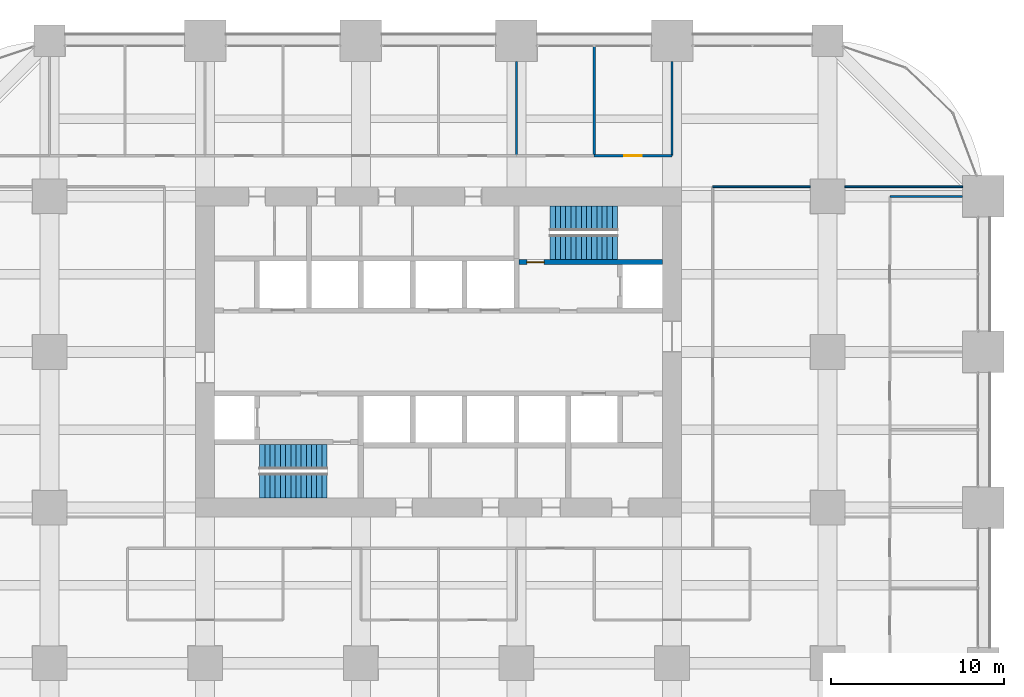
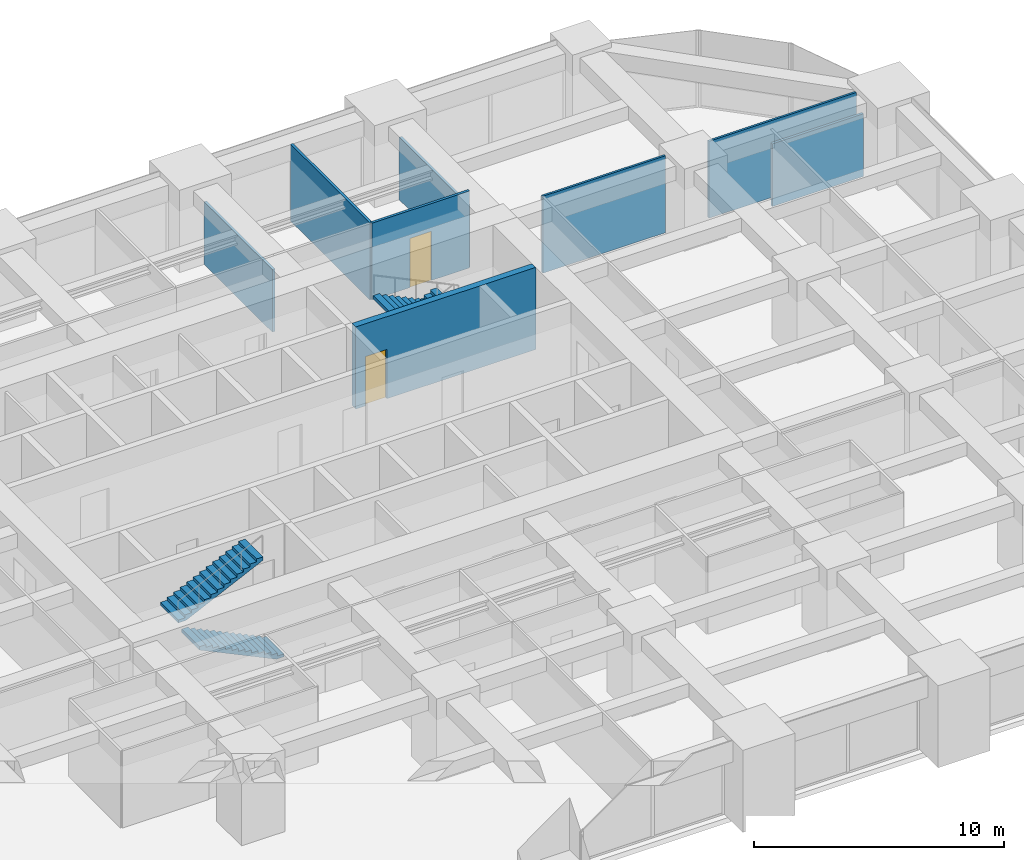
# One storey, part 39 of 41: 8 walls, 4 stair flights, 2 doors, 2 openings, 2 elements without a shape of their own.
"""IFC4 building model written with IfcOpenShell, lengths in metres."""

from ifc_helpers import new_model, si_unit, direction, frame, frame_2d, origin, place, context, subcontext, project, spatial, polyline, rectangle, outline, extrude, material, layer, layer_set, type_object, element, fill, aggregate, save


model = new_model("IFC4")

# Units and contexts
model_context = context("Model", 3, precision=1e-05, world=origin(), true_north=direction((0.0, 1.0)))
body_context = subcontext(model_context, "Body", "Model", "MODEL_VIEW")
ifc_project = project(units=[si_unit("LENGTHUNIT", "METRE"), si_unit("AREAUNIT", "SQUARE_METRE"), si_unit("VOLUMEUNIT", "CUBIC_METRE"), si_unit("PLANEANGLEUNIT", "RADIAN"), si_unit("MASSUNIT", "GRAM", prefix="KILO")], contexts=[model_context])

# Site, building, storey
site_placement = place(None, origin())
site = spatial("IfcSite", under=ifc_project, at=site_placement, CompositionType="ELEMENT")
building_placement = place(site_placement, origin())
building = spatial("IfcBuilding", under=site, at=building_placement, Name="Zorevar Civic Tower", CompositionType="ELEMENT")
storey_placement = place(building_placement, frame((0.0, 0.0, 113.0)))
storey = spatial("IfcBuildingStorey", under=building, at=storey_placement, Name="L27", CompositionType="ELEMENT", Elevation=113.0)

# Walls
ifc_material_1 = material(Name="Laminated glass in black aluminium frame", Category="aluminium")
ifc_layer_1 = layer(ifc_material_1, 0.10009765625)
ifc_layer_set_1 = layer_set([ifc_layer_1], Name="Glazed partition 100")
wall_type_1 = type_object("IfcWallType", Name="Glazed partition 100", PredefinedType="PARTITIONING", material=ifc_layer_set_1)
wall_1_placement = place(storey_placement, frame((47.35009765625, 36.550048828125, 0.0), z_axis=(0.0, 0.0, 1.0), x_axis=(1.0, 0.0, 0.0)))
element("IfcWall", 1, at=wall_1_placement, inside=storey, type_object=wall_type_1, Name="Glazed partition 100 L27", PredefinedType="PARTITIONING", context=body_context, shape_type="SweptSolid", body=[
    extrude(rectangle(XDim=5.64990234375, YDim=0.10009765625, at=frame_2d((2.824951171875, 0.0))), origin(), (0.0, 0.0, 1.0), 3.75),
])
wall_2_placement = place(storey_placement, frame((55.0, 36.550048828125, 0.0), z_axis=(0.0, 0.0, 1.0), x_axis=(1.0, 0.0, 0.0)))
element("IfcWall", 2, at=wall_2_placement, inside=storey, type_object=wall_type_1, Name="Glazed partition 100 L27", PredefinedType="PARTITIONING", context=body_context, shape_type="SweptSolid", body=[
    extrude(rectangle(XDim=6.800048828125, YDim=0.10009765625, at=frame_2d((3.39990234375, 0.0))), origin(), (0.0, 0.0, 1.0), 3.75),
])

# Wall, opening, door
ifc_material_2 = material(Name="Concrete C40/50", Category="concrete")
ifc_layer_2 = layer(ifc_material_2, 0.300048828125)
ifc_layer_set_2 = layer_set([ifc_layer_2], Name="Inner core wall 300")
wall_type_2 = type_object("IfcWallType", Name="Inner core wall 300", PredefinedType="SHEAR", material=ifc_layer_set_2)
wall_3_placement = place(storey_placement, frame((36.14990234375, 32.199951171875, 0.0), z_axis=(0.0, 0.0, 1.0), x_axis=(1.0, 0.0, 0.0)))
wall_3 = element("IfcWall", 3, at=wall_3_placement, inside=storey, type_object=wall_type_2, Name="Inner core wall N00 L27", PredefinedType="SHEAR", context=body_context, shape_type="SweptSolid", body=[
    extrude(rectangle(XDim=8.300048828125, YDim=0.300048828125, at=frame_2d((4.14990234375, 0.0))), origin(), (0.0, 0.0, 1.0), 4.0),
])
opening_1_placement = place(wall_3_placement, frame((0.449951171875, 0.0, 0.0)))
opening_1 = element("IfcOpeningElement", 4, at=opening_1_placement, cuts=wall_3, Name="Opening L27.12", PredefinedType="OPENING", context=body_context, shape_type="SweptSolid", body=[
    extrude(rectangle(XDim=1.0, YDim=2.39990234375, at=frame_2d((0.5, 1.199951171875))), frame((0.0, 0.159912109375, 0.0), z_axis=(0.0, -1.0, 0.0), x_axis=(1.0, 0.0, 0.0)), (0.0, 0.0, 1.0), 0.320068359375),
])
ifc_material_3 = material(Name="Steel door set", Category="steel")
door_type_1 = type_object("IfcDoorType", Name="Fire door FD1 1000x2400", OperationType="SINGLE_SWING_LEFT", PredefinedType="DOOR", material=ifc_material_3)
door_1_placement = place(opening_1_placement, origin())
door_1 = element("IfcDoor", 5, at=door_1_placement, inside=storey, type_object=door_type_1, Name="Door L27 11", OperationType="SINGLE_SWING_RIGHT", OverallHeight=2.39990234375, OverallWidth=1.0, PredefinedType="DOOR", context=body_context, shape_type="SweptSolid", body=[
    extrude(rectangle(XDim=1.0, YDim=2.39990234375, at=frame_2d((0.5, 1.199951171875))), frame((0.0, 0.030029296875, 0.0), z_axis=(0.0, -1.0, 0.0), x_axis=(1.0, 0.0, 0.0)), (0.0, 0.0, 1.0), 0.06005859375),
])
fill(opening_1, door_1)

# Wall
ifc_material_4 = material(Name="Gypsum board on steel studs", Category="steel")
ifc_layer_3 = layer(ifc_material_4, 0.1201171875)
ifc_layer_set_3 = layer_set([ifc_layer_3], Name="Partition 120")
wall_type_3 = type_object("IfcWallType", Name="Partition 120", PredefinedType="PARTITIONING", material=ifc_layer_set_3)
wall_4_placement = place(storey_placement, frame((57.60009765625, 36.0, 0.0), z_axis=(0.0, 0.0, 1.0), x_axis=(1.0, 0.0, 0.0)))
element("IfcWall", 6, at=wall_4_placement, inside=storey, type_object=wall_type_3, Name="Partition 120 L27", PredefinedType="PARTITIONING", context=body_context, shape_type="SweptSolid", body=[
    extrude(rectangle(XDim=4.199951171875, YDim=0.1201171875, at=frame_2d((2.10009765625, 0.0))), origin(), (0.0, 0.0, 1.0), 3.050048828125),
])

# Wall, opening, door
wall_5_placement = place(storey_placement, frame((40.5, 38.35009765625, 0.0), z_axis=(0.0, 0.0, 1.0), x_axis=(1.0, 0.0, 0.0)))
wall_5 = element("IfcWall", 7, at=wall_5_placement, inside=storey, type_object=wall_type_3, Name="Partition 120 L27", PredefinedType="PARTITIONING", context=body_context, shape_type="SweptSolid", body=[
    extrude(rectangle(XDim=4.5, YDim=0.1201171875, at=frame_2d((2.25, 0.0))), origin(), (0.0, 0.0, 1.0), 3.75),
])
opening_2_placement = place(wall_5_placement, frame((1.75, 0.0, 0.0)))
opening_2 = element("IfcOpeningElement", 8, at=opening_2_placement, cuts=wall_5, Name="Opening L27.29", PredefinedType="OPENING", context=body_context, shape_type="SweptSolid", body=[
    extrude(rectangle(XDim=1.0, YDim=2.39990234375, at=frame_2d((0.5, 1.199951171875))), frame((0.0, 0.070068359375, 0.0), z_axis=(0.0, -1.0, 0.0), x_axis=(1.0, 0.0, 0.0)), (0.0, 0.0, 1.0), 0.14013671875),
])
ifc_material_5 = material(Name="Timber door set", Category="wood")
door_type_2 = type_object("IfcDoorType", Name="Door D1 1000x2400", OperationType="SINGLE_SWING_LEFT", PredefinedType="DOOR", material=ifc_material_5)
door_2_placement = place(opening_2_placement, origin())
door_2 = element("IfcDoor", 9, at=door_2_placement, inside=storey, type_object=door_type_2, Name="Door L27 D1", OperationType="SINGLE_SWING_RIGHT", OverallHeight=2.39990234375, OverallWidth=1.0, PredefinedType="DOOR", context=body_context, shape_type="SweptSolid", body=[
    extrude(rectangle(XDim=1.0, YDim=2.39990234375, at=frame_2d((0.5, 1.199951171875))), frame((0.0, 0.02490234375, 0.0), z_axis=(0.0, -1.0, 0.0), x_axis=(1.0, 0.0, 0.0)), (0.0, 0.0, 1.0), 0.050048828125),
])
fill(opening_2, door_2)

# Walls
wall_6_placement = place(storey_placement, frame((36.0, 38.35009765625, 0.0), z_axis=(0.0, 0.0, 1.0), x_axis=(0.0, 1.0, 0.0)))
element("IfcWall", 10, at=wall_6_placement, inside=storey, type_object=wall_type_3, Name="Partition 120 L27", PredefinedType="PARTITIONING", context=body_context, shape_type="SweptSolid", body=[
    extrude(rectangle(XDim=5.449951171875, YDim=0.1201171875, at=frame_2d((2.72509765625, 0.0))), origin(), (0.0, 0.0, 1.0), 3.050048828125),
])
wall_7_placement = place(storey_placement, frame((40.5, 38.35009765625, 0.0), z_axis=(0.0, 0.0, 1.0), x_axis=(0.0, 1.0, 0.0)))
element("IfcWall", 11, at=wall_7_placement, inside=storey, type_object=wall_type_3, Name="Partition 120 L27", PredefinedType="PARTITIONING", context=body_context, shape_type="SweptSolid", body=[
    extrude(rectangle(XDim=6.33984375, YDim=0.1201171875, at=frame_2d((3.169921875, 0.0))), origin(), (0.0, 0.0, 1.0), 3.75),
])
wall_8_placement = place(storey_placement, frame((45.0, 38.35009765625, 0.0), z_axis=(0.0, 0.0, 1.0), x_axis=(0.0, 1.0, 0.0)))
element("IfcWall", 12, at=wall_8_placement, inside=storey, type_object=wall_type_3, Name="Partition 120 L27", PredefinedType="PARTITIONING", context=body_context, shape_type="SweptSolid", body=[
    extrude(rectangle(XDim=5.449951171875, YDim=0.1201171875, at=frame_2d((2.72509765625, 0.0))), origin(), (0.0, 0.0, 1.0), 3.050048828125),
])

# Stair, stair flights
ifc_material_6 = material(Name="Precast concrete C40/50", Category="concrete")
stair_type = type_object("IfcStairType", Name="Stair ST 28R", PredefinedType="HALF_TURN_STAIR", material=ifc_material_6)
stair_1_placement = place(storey_placement, origin())
stair_1 = element("IfcStair", 13, at=stair_1_placement, inside=storey, type_object=stair_type, Name="Stair ST1 L27", PredefinedType="HALF_TURN_STAIR")
ifc_material_7 = material(Name="Precast concrete C40/50", Category="concrete")
stair_flight_type = type_object("IfcStairFlightType", Name="Stair flight", PredefinedType="STRAIGHT", material=ifc_material_7)
stair_flight_1_placement = place(storey_placement, frame((25.050048828125, 19.262451171875, 0.0), z_axis=(0.0, 0.0, 1.0), x_axis=(-1.0, 0.0, 0.0)))
stair_flight_1 = element("IfcStairFlight", 14, at=stair_flight_1_placement, type_object=stair_flight_type, Name="ST1 flight 1", NumberOfRisers=14, NumberOfTreads=13, PredefinedType="STRAIGHT", RiserHeight=0.142857143, TreadLength=0.3, context=body_context, shape_type="SweptSolid", body=[
    extrude(outline(polyline([(0.0, 0.0), (0.0, 0.142822265625), (0.300048828125, 0.142822265625), (0.300048828125, 0.28564453125), (0.60009765625, 0.28564453125), (0.60009765625, 0.428466796875), (0.89990234375, 0.428466796875), (0.89990234375, 0.571533203125), (1.199951171875, 0.571533203125), (1.199951171875, 0.71435546875), (1.5, 0.71435546875), (1.5, 0.857177734375), (1.800048828125, 0.857177734375), (1.800048828125, 1.0), (2.10009765625, 1.0), (2.10009765625, 1.142822265625), (2.39990234375, 1.142822265625), (2.39990234375, 1.28564453125), (2.699951171875, 1.28564453125), (2.699951171875, 1.428466796875), (3.0, 1.428466796875), (3.0, 1.571533203125), (3.300048828125, 1.571533203125), (3.300048828125, 1.71435546875), (3.60009765625, 1.71435546875), (3.60009765625, 1.857177734375), (3.89990234375, 1.857177734375), (3.89990234375, 2.0), (3.89990234375, 1.691162109375), (0.3486328125, 0.0), (0.0, 0.0)])), frame((0.0, 0.71240234375, 0.0), z_axis=(0.0, -1.0, 0.0), x_axis=(1.0, 0.0, 0.0)), (0.0, 0.0, 1.0), 1.425048828125),
])
stair_flight_2_placement = place(storey_placement, frame((21.14990234375, 20.9375, 2.0), z_axis=(0.0, 0.0, 1.0), x_axis=(1.0, 0.0, 0.0)))
stair_flight_2 = element("IfcStairFlight", 15, at=stair_flight_2_placement, type_object=stair_flight_type, Name="ST1 flight 2", NumberOfRisers=14, NumberOfTreads=13, PredefinedType="STRAIGHT", RiserHeight=0.142857143, TreadLength=0.3, context=body_context, shape_type="SweptSolid", body=[
    extrude(outline(polyline([(0.0, 0.0), (0.0, 0.142822265625), (0.300048828125, 0.142822265625), (0.300048828125, 0.28564453125), (0.60009765625, 0.28564453125), (0.60009765625, 0.428466796875), (0.89990234375, 0.428466796875), (0.89990234375, 0.571533203125), (1.199951171875, 0.571533203125), (1.199951171875, 0.71435546875), (1.5, 0.71435546875), (1.5, 0.857177734375), (1.800048828125, 0.857177734375), (1.800048828125, 1.0), (2.10009765625, 1.0), (2.10009765625, 1.142822265625), (2.39990234375, 1.142822265625), (2.39990234375, 1.28564453125), (2.699951171875, 1.28564453125), (2.699951171875, 1.428466796875), (3.0, 1.428466796875), (3.0, 1.571533203125), (3.300048828125, 1.571533203125), (3.300048828125, 1.71435546875), (3.60009765625, 1.71435546875), (3.60009765625, 1.857177734375), (3.89990234375, 1.857177734375), (3.89990234375, 2.0), (3.89990234375, 1.691162109375), (0.3486328125, 0.0), (0.0, 0.0)])), frame((0.0, 0.71240234375, 0.0), z_axis=(0.0, -1.0, 0.0), x_axis=(1.0, 0.0, 0.0)), (0.0, 0.0, 1.0), 1.425048828125),
])
aggregate(stair_1, [stair_flight_1, stair_flight_2])

stair_2_placement = place(storey_placement, origin())
stair_2 = element("IfcStair", 16, at=stair_2_placement, inside=storey, type_object=stair_type, Name="Stair ST2 L27", PredefinedType="HALF_TURN_STAIR")
stair_flight_3_placement = place(storey_placement, frame((37.949951171875, 34.737548828125, 0.0), z_axis=(0.0, 0.0, 1.0), x_axis=(1.0, 0.0, 0.0)))
stair_flight_3 = element("IfcStairFlight", 17, at=stair_flight_3_placement, type_object=stair_flight_type, Name="ST2 flight 1", NumberOfRisers=14, NumberOfTreads=13, PredefinedType="STRAIGHT", RiserHeight=0.142857143, TreadLength=0.3, context=body_context, shape_type="SweptSolid", body=[
    extrude(outline(polyline([(0.0, 0.0), (0.0, 0.142822265625), (0.300048828125, 0.142822265625), (0.300048828125, 0.28564453125), (0.60009765625, 0.28564453125), (0.60009765625, 0.428466796875), (0.89990234375, 0.428466796875), (0.89990234375, 0.571533203125), (1.199951171875, 0.571533203125), (1.199951171875, 0.71435546875), (1.5, 0.71435546875), (1.5, 0.857177734375), (1.800048828125, 0.857177734375), (1.800048828125, 1.0), (2.10009765625, 1.0), (2.10009765625, 1.142822265625), (2.39990234375, 1.142822265625), (2.39990234375, 1.28564453125), (2.699951171875, 1.28564453125), (2.699951171875, 1.428466796875), (3.0, 1.428466796875), (3.0, 1.571533203125), (3.300048828125, 1.571533203125), (3.300048828125, 1.71435546875), (3.60009765625, 1.71435546875), (3.60009765625, 1.857177734375), (3.89990234375, 1.857177734375), (3.89990234375, 2.0), (3.89990234375, 1.691162109375), (0.3486328125, 0.0), (0.0, 0.0)])), frame((0.0, 0.71240234375, 0.0), z_axis=(0.0, -1.0, 0.0), x_axis=(1.0, 0.0, 0.0)), (0.0, 0.0, 1.0), 1.425048828125),
])
stair_flight_4_placement = place(storey_placement, frame((41.85009765625, 33.0625, 2.0), z_axis=(0.0, 0.0, 1.0), x_axis=(-1.0, 0.0, 0.0)))
stair_flight_4 = element("IfcStairFlight", 18, at=stair_flight_4_placement, type_object=stair_flight_type, Name="ST2 flight 2", NumberOfRisers=14, NumberOfTreads=13, PredefinedType="STRAIGHT", RiserHeight=0.142857143, TreadLength=0.3, context=body_context, shape_type="SweptSolid", body=[
    extrude(outline(polyline([(0.0, 0.0), (0.0, 0.142822265625), (0.300048828125, 0.142822265625), (0.300048828125, 0.28564453125), (0.60009765625, 0.28564453125), (0.60009765625, 0.428466796875), (0.89990234375, 0.428466796875), (0.89990234375, 0.571533203125), (1.199951171875, 0.571533203125), (1.199951171875, 0.71435546875), (1.5, 0.71435546875), (1.5, 0.857177734375), (1.800048828125, 0.857177734375), (1.800048828125, 1.0), (2.10009765625, 1.0), (2.10009765625, 1.142822265625), (2.39990234375, 1.142822265625), (2.39990234375, 1.28564453125), (2.699951171875, 1.28564453125), (2.699951171875, 1.428466796875), (3.0, 1.428466796875), (3.0, 1.571533203125), (3.300048828125, 1.571533203125), (3.300048828125, 1.71435546875), (3.60009765625, 1.71435546875), (3.60009765625, 1.857177734375), (3.89990234375, 1.857177734375), (3.89990234375, 2.0), (3.89990234375, 1.691162109375), (0.3486328125, 0.0), (0.0, 0.0)])), frame((0.0, 0.71240234375, 0.0), z_axis=(0.0, -1.0, 0.0), x_axis=(1.0, 0.0, 0.0)), (0.0, 0.0, 1.0), 1.425048828125),
])
aggregate(stair_2, [stair_flight_3, stair_flight_4])

save(model, "model.ifc")
